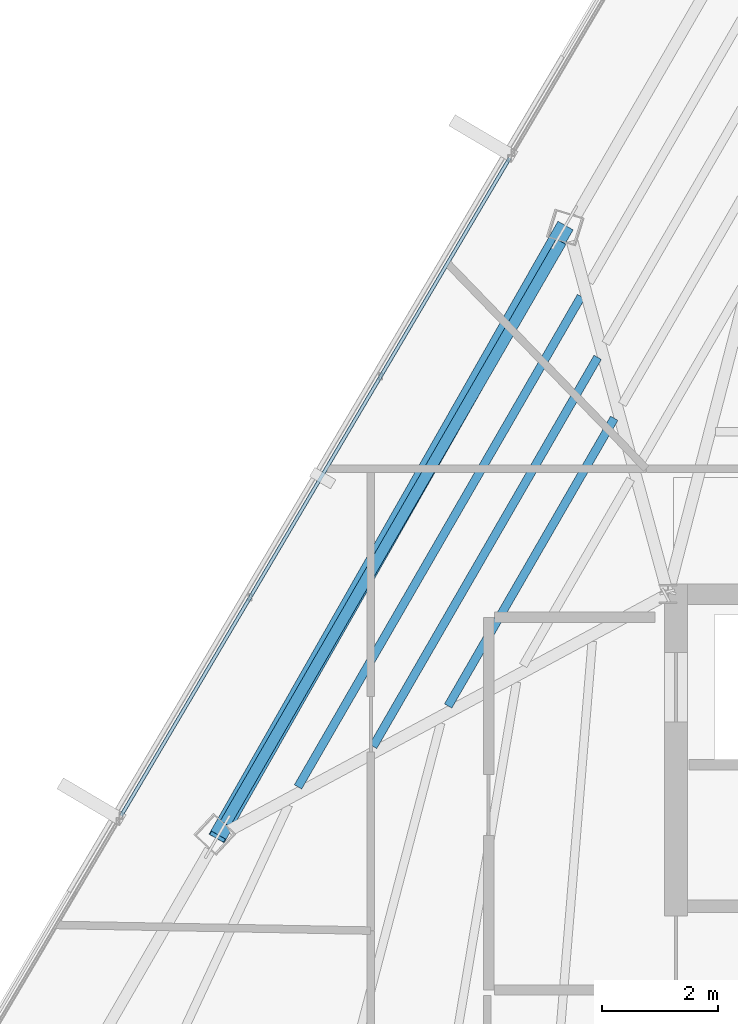
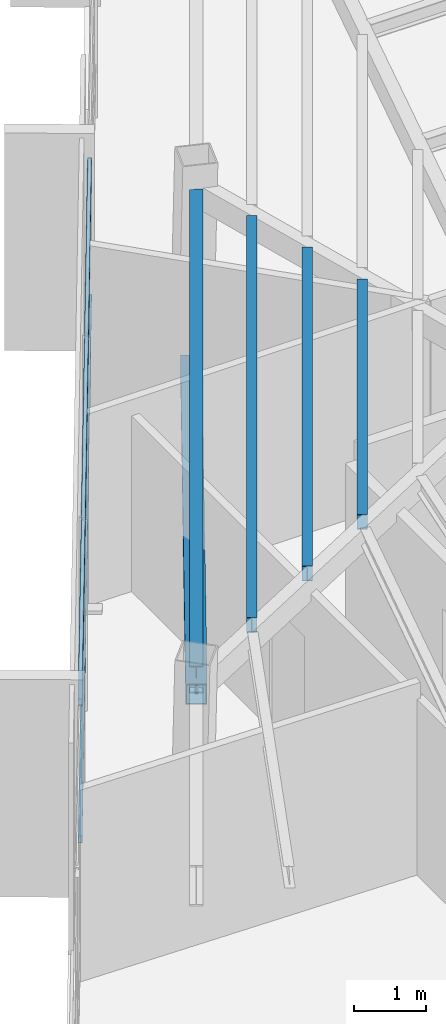
# One storey, part 18 of 44: 4 beams, 3 members, 1 element without a shape of its own.
"""IFC4 building model written with IfcOpenShell, lengths in metres."""

from ifc_helpers import new_model, si_unit, direction, frame, origin, origin_2d, place, context, subcontext, project, spatial, hollow_rectangle, i_section, extrude, source, transform, mapped, material, material_profile, profile_set, type_object, type_shapes, element, aggregate, save


model = new_model("IFC4")

# Units and contexts
model_context = context("Model", 3, precision=1e-05, world=origin(), true_north=direction((0.0, 1.0)))
body_context = subcontext(model_context, "Body", "Model", "MODEL_VIEW")
ifc_project = project(units=[si_unit("LENGTHUNIT", "METRE"), si_unit("AREAUNIT", "SQUARE_METRE"), si_unit("VOLUMEUNIT", "CUBIC_METRE"), si_unit("PLANEANGLEUNIT", "RADIAN"), si_unit("MASSUNIT", "GRAM", prefix="KILO")], contexts=[model_context])

# Site, building, storey
site_placement = place(None, origin())
site = spatial("IfcSite", under=ifc_project, at=site_placement, CompositionType="ELEMENT")
building_placement = place(site_placement, origin())
building = spatial("IfcBuilding", under=site, at=building_placement, Name="Caelisora Broadcast Tower", CompositionType="ELEMENT")
storey_placement = place(building_placement, frame((0.0, 0.0, 280.949951171875)))
storey = spatial("IfcBuildingStorey", under=building, at=storey_placement, Name="L74", CompositionType="ELEMENT", Elevation=280.949951171875)

# Beams
ifc_material_1 = material(Name="Steel Grade 350 (AS/NZS 3679.1)", Category="steel")
ifc_material_profile_1 = material_profile(ifc_material_1, i_section(OverallWidth=0.19091796875, OverallDepth=0.46044921875, WebThickness=0.010009765625, FlangeThickness=0.01611328125, at=origin_2d()), Name="Steel Grade 350 (AS/NZS 3679.1)")
ifc_profile_set_1 = profile_set([ifc_material_profile_1], Name="Steel Grade 350 (AS/NZS 3679.1)")
beam_type_1 = type_object("IfcBeamType", Name="PG06", PredefinedType="BEAM", material=ifc_profile_set_1)
shared_shape_1 = source(origin(), body_context, "Body", "SweptSolid", [
    extrude(i_section(OverallWidth=0.19091796875, OverallDepth=0.46044921875, WebThickness=0.010009765625, FlangeThickness=0.01611328125, at=origin_2d()), origin(), (0.0, 0.0, 1.0), 11.542236328125),
])
type_shapes(beam_type_1, [shared_shape_1])
beam_1_placement = place(storey_placement, frame((28.66650390625, 36.052734375, 3.019775390625), z_axis=(-0.500008692254, -0.866020385251, 0.0), x_axis=(0.866020385251, -0.500008692254, 0.0)))
element("IfcBeam", 1, at=beam_1_placement, inside=storey, type_object=beam_type_1, Name="L74 beam PG06", PredefinedType="BEAM", context=body_context, shape_type="MappedRepresentation", body=[
    mapped(shared_shape_1, transform((0.0, 0.0, 0.0), scale=1.0)),
])
ifc_material_profile_2 = material_profile(ifc_material_1, i_section(OverallWidth=0.14599609375, OverallDepth=0.256103515625, WebThickness=0.00634765625, FlangeThickness=0.010986328125, at=origin_2d()), Name="Steel Grade 350 (AS/NZS 3679.1)")
ifc_profile_set_2 = profile_set([ifc_material_profile_2], Name="Steel Grade 350 (AS/NZS 3679.1)")
beam_type_2 = type_object("IfcBeamType", Name="SB04", PredefinedType="JOIST", material=ifc_profile_set_2)
shared_shape_2 = source(origin(), body_context, "Body", "SweptSolid", [
    extrude(i_section(OverallWidth=0.14599609375, OverallDepth=0.256103515625, WebThickness=0.00634765625, FlangeThickness=0.010986328125, at=origin_2d()), origin(), (0.0, 0.0, 1.0), 5.70556640625),
])
beam_2_placement = place(storey_placement, frame((29.5791015625, 33.019287109375, 3.1220703125), z_axis=(-0.50000025359, -0.866025257374, 0.0), x_axis=(0.866025257374, -0.50000025359, 0.0)))
element("IfcBeam", 2, at=beam_2_placement, inside=storey, type_object=beam_type_2, Name="L74 beam SB04", PredefinedType="JOIST", context=body_context, shape_type="MappedRepresentation", body=[
    mapped(shared_shape_2, transform((0.0, 0.0, 0.0), scale=1.0)),
])
shared_shape_3 = source(origin(), body_context, "Body", "SweptSolid", [
    extrude(i_section(OverallWidth=0.14599609375, OverallDepth=0.256103515625, WebThickness=0.00634765625, FlangeThickness=0.010986328125, at=origin_2d()), origin(), (0.0, 0.0, 1.0), 7.71630859375),
])
beam_3_placement = place(storey_placement, frame((29.29541015625, 34.06591796875, 3.1220703125), z_axis=(-0.499994505012, -0.866028576294, 0.0), x_axis=(0.866028576294, -0.499994505012, 0.0)))
element("IfcBeam", 3, at=beam_3_placement, inside=storey, type_object=beam_type_2, Name="L74 beam SB04", PredefinedType="JOIST", context=body_context, shape_type="MappedRepresentation", body=[
    mapped(shared_shape_3, transform((0.0, 0.0, 0.0), scale=1.0)),
])
shared_shape_4 = source(origin(), body_context, "Body", "SweptSolid", [
    extrude(i_section(OverallWidth=0.14599609375, OverallDepth=0.256103515625, WebThickness=0.00634765625, FlangeThickness=0.010986328125, at=origin_2d()), origin(), (0.0, 0.0, 1.0), 9.7265625),
])
type_shapes(beam_type_2, [shared_shape_2, shared_shape_3, shared_shape_4])
beam_4_placement = place(storey_placement, frame((29.01123046875, 35.112060546875, 3.1220703125), z_axis=(-0.500004913678, -0.866022566853, 0.0), x_axis=(0.866022566853, -0.500004913678, 0.0)))
element("IfcBeam", 4, at=beam_4_placement, inside=storey, type_object=beam_type_2, Name="L74 beam SB04", PredefinedType="JOIST", context=body_context, shape_type="MappedRepresentation", body=[
    mapped(shared_shape_4, transform((0.0, 0.0, 0.0), scale=1.0)),
])

# Member
ifc_material_2 = material(Name="Steel Grade 450 (AS/NZS 1163 C450L0)", Category="steel")
ifc_material_profile_3 = material_profile(ifc_material_2, hollow_rectangle(XDim=0.300048828125, YDim=0.300048828125, WallThickness=0.012451171875, at=origin_2d()), Name="Steel Grade 450 (AS/NZS 1163 C450L0)")
ifc_profile_set_3 = profile_set([ifc_material_profile_3], Name="Steel Grade 450 (AS/NZS 1163 C450L0)")
member_type_1 = type_object("IfcMemberType", Name="BR06", PredefinedType="BRACE", material=ifc_profile_set_3)
shared_shape_5 = source(origin(), body_context, "Body", "SweptSolid", [
    extrude(hollow_rectangle(XDim=0.300048828125, YDim=0.300048828125, WallThickness=0.012451171875, at=origin_2d()), origin(), (0.0, 0.0, 1.0), 12.378662109375),
])
type_shapes(member_type_1, [shared_shape_5])
member_1_placement = place(storey_placement, frame((28.7255859375, 36.2998046875, 0.10009765625), z_axis=(-0.481507066699, -0.845664782745, 0.230221675661), x_axis=(0.869007888229, -0.494798231803, 0.0)))
element("IfcMember", 5, at=member_1_placement, inside=storey, type_object=member_type_1, Name="L74 perimeter brace BR06", PredefinedType="BRACE", context=body_context, shape_type="MappedRepresentation", body=[
    mapped(shared_shape_5, transform((0.0, 0.0, 0.0), scale=1.0)),
])

# Curtain wall, members
ifc_material_3 = material(Name="Unitised Aluminium Insulated Shadow-Box Spandrel Curtain Wall", Category="aluminium")
curtain_wall_type = type_object("IfcCurtainWallType", Name="CW-SP3", PredefinedType="NOTDEFINED", material=ifc_material_3)
curtain_wall_placement = place(storey_placement, origin())
curtain_wall = element("IfcCurtainWall", 6, at=curtain_wall_placement, inside=storey, type_object=curtain_wall_type, Name="L74 curtain wall CW-SP3", PredefinedType="NOTDEFINED")
ifc_material_4 = material(Name="Aluminium 6063-T6 Anodised Terracotta Bronze", Category="aluminium")
ifc_material_profile_4 = material_profile(ifc_material_4, hollow_rectangle(XDim=0.06005859375, YDim=0.1201171875, WallThickness=0.0029296875, at=origin_2d()), Name="Aluminium 6063-T6 Anodised Terracotta Bronze")
ifc_profile_set_4 = profile_set([ifc_material_profile_4], Name="Aluminium 6063-T6 Anodised Terracotta Bronze")
member_type_2 = type_object("IfcMemberType", Name="CWT-03", PredefinedType="USERDEFINED", material=ifc_profile_set_4)
shared_shape_6 = source(origin(), body_context, "Body", "SweptSolid", [
    extrude(hollow_rectangle(XDim=0.06005859375, YDim=0.1201171875, WallThickness=0.0029296875, at=origin_2d()), origin(), (0.0, 0.0, 1.0), 13.119140625),
])
type_shapes(member_type_2, [shared_shape_6])
member_2_placement = place(storey_placement, frame((21.1103515625, 26.1943359375, 0.85009765625), z_axis=(0.508668495553, 0.860962462383, 0.0), x_axis=(-0.860962462383, 0.508668495553, 0.0)))
member_2 = element("IfcMember", 7, at=member_2_placement, type_object=member_type_2, Name="L74-CW-B10 transom #1", ObjectType="TRANSOM", PredefinedType="USERDEFINED", context=body_context, shape_type="MappedRepresentation", body=[
    mapped(shared_shape_6, transform((0.0, 0.0, 0.0), scale=1.0)),
])
member_3_placement = place(storey_placement, frame((21.1103515625, 26.1943359375, 3.170166015625), z_axis=(0.508668495553, 0.860962462383, 0.0), x_axis=(-0.860962462383, 0.508668495553, 0.0)))
member_3 = element("IfcMember", 8, at=member_3_placement, type_object=member_type_2, Name="L74-CW-B10 transom #2", ObjectType="TRANSOM", PredefinedType="USERDEFINED", context=body_context, shape_type="MappedRepresentation", body=[
    mapped(shared_shape_6, transform((0.0, 0.0, 0.0), scale=1.0)),
])
aggregate(curtain_wall, [member_2, member_3])

save(model, "model.ifc")
